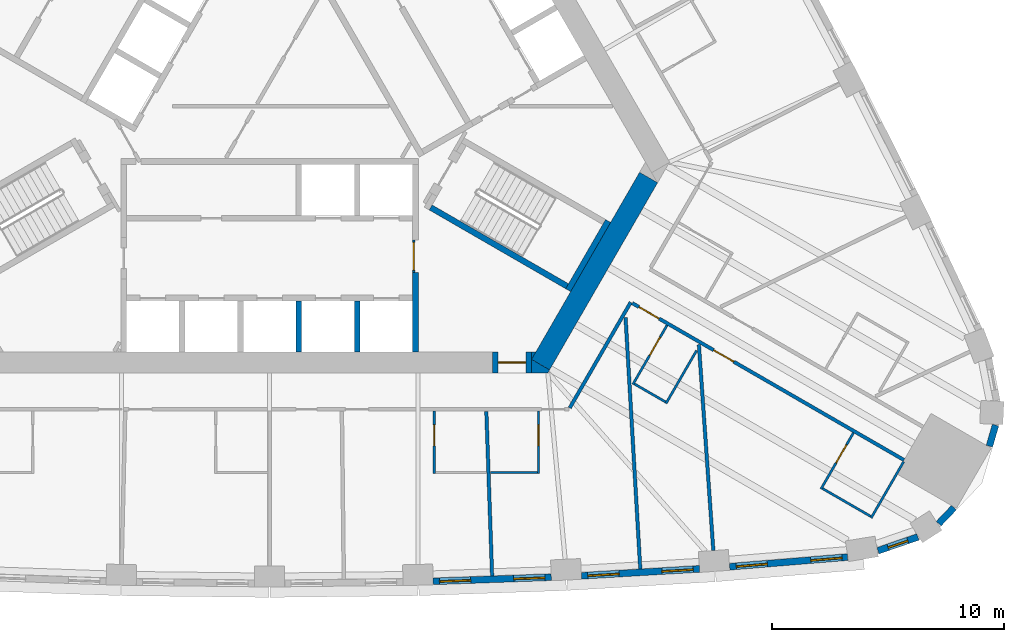
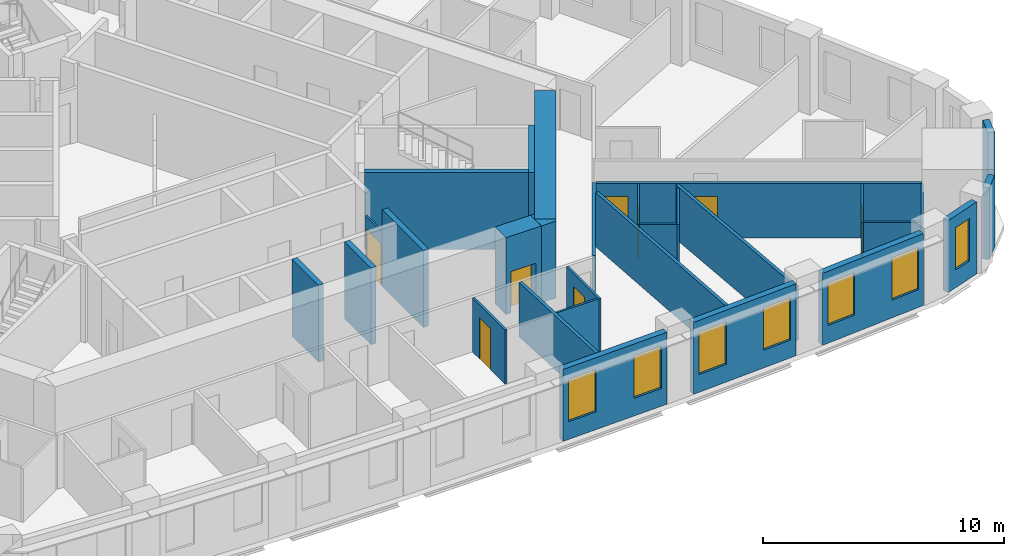
# One storey, part 7 of 13: 30 walls, 8 doors, 7 windows, 15 openings.
"""IFC4 building model written with IfcOpenShell, lengths in metres."""

from ifc_helpers import new_model, si_unit, direction, frame, frame_2d, origin, place, context, subcontext, project, spatial, polyline, rectangle, outline, extrude, material, layer, layer_set, type_object, element, fill, save


model = new_model("IFC4")

# Units and contexts
model_context = context("Model", 3, precision=1e-05, world=origin(), true_north=direction((0.0, 1.0)))
body_context = subcontext(model_context, "Body", "Model", "MODEL_VIEW")
ifc_project = project(units=[si_unit("LENGTHUNIT", "METRE"), si_unit("AREAUNIT", "SQUARE_METRE"), si_unit("VOLUMEUNIT", "CUBIC_METRE"), si_unit("PLANEANGLEUNIT", "RADIAN"), si_unit("MASSUNIT", "GRAM", prefix="KILO")], contexts=[model_context])

# Site, building, storey
site_placement = place(None, origin())
site = spatial("IfcSite", under=ifc_project, at=site_placement, CompositionType="ELEMENT")
building_placement = place(site_placement, origin())
building = spatial("IfcBuilding", under=site, at=building_placement, Name="Mestral Congress Tower", CompositionType="ELEMENT")
storey_placement = place(building_placement, frame((0.0, 0.0, 91.5)))
storey = spatial("IfcBuildingStorey", under=building, at=storey_placement, Name="L21", CompositionType="ELEMENT", Elevation=91.5)

# Wall, opening, door
ifc_material_1 = material(Name="Fire-rated board partition")
ifc_layer_1 = layer(ifc_material_1, 0.090087890625)
ifc_layer_set_1 = layer_set([ifc_layer_1], Name="Fire-rated board partition")
wall_type_1 = type_object("IfcWallType", Name="Core partition 150 door-wall 90", PredefinedType="PARTITIONING", material=ifc_layer_set_1)
wall_1_placement = place(storey_placement, frame((6.219970703125, -7.266357421875, 0.0), z_axis=(0.0, 0.0, 1.0), x_axis=(0.0, -1.0, 0.0)))
wall_1 = element("IfcWall", 1, at=wall_1_placement, inside=storey, type_object=wall_type_1, Name="L21 door wall", PredefinedType="PARTITIONING", context=body_context, shape_type="SweptSolid", body=[
    extrude(rectangle(XDim=1.400146484375, YDim=0.090087890625, at=frame_2d((0.7001953125, 0.0))), origin(), (0.0, 0.0, 1.0), 2.75),
])
opening_1_placement = place(wall_1_placement, frame((0.10009765625, 0.0, 0.0)))
opening_1 = element("IfcOpeningElement", 2, at=opening_1_placement, cuts=wall_1, Name="Opening LB0-WL1", PredefinedType="OPENING", context=body_context, shape_type="SweptSolid", body=[
    extrude(rectangle(XDim=1.199951171875, YDim=2.10009765625, at=frame_2d((0.60009765625, 1.050048828125))), frame((0.0, 0.054931640625, 0.0), z_axis=(0.0, -1.0, 0.0), x_axis=(1.0, 0.0, 0.0)), (0.0, 0.0, 1.0), 0.110107421875),
])
ifc_material_2 = material(Name="Fire-rated steel door set", Category="steel")
door_type_1 = type_object("IfcDoorType", Name="Core door LB 1200x2100", OperationType="SINGLE_SWING_LEFT", PredefinedType="DOOR", material=ifc_material_2)
door_1_placement = place(opening_1_placement, origin())
door_1 = element("IfcDoor", 3, at=door_1_placement, inside=storey, type_object=door_type_1, Name="Door LB0-WL1", OperationType="SINGLE_SWING_LEFT", OverallHeight=2.10009765625, OverallWidth=1.199951171875, PredefinedType="DOOR", context=body_context, shape_type="SweptSolid", body=[
    extrude(rectangle(XDim=1.199951171875, YDim=2.10009765625, at=frame_2d((0.60009765625, 1.050048828125))), frame((0.0, 0.02490234375, 0.0), z_axis=(0.0, -1.0, 0.0), x_axis=(1.0, 0.0, 0.0)), (0.0, 0.0, 1.0), 0.050048828125),
])
fill(opening_1, door_1)

# Walls
ifc_material_3 = material(Name="Concrete C60/75", Category="concrete")
ifc_layer_2 = layer(ifc_material_3, 0.89990234375)
ifc_layer_set_2 = layer_set([ifc_layer_2], Name="Concrete C60/75")
wall_type_2 = type_object("IfcWallType", Name="Core wall RC 900", PredefinedType="SOLIDWALL", material=ifc_layer_set_2)
wall_2_placement = place(storey_placement, frame((11.69482421875, -12.643798828125, 0.0), z_axis=(0.0, 0.0, 1.0), x_axis=(0.500010229568, 0.86601949766, 0.0)))
element("IfcWall", 4, at=wall_2_placement, inside=storey, type_object=wall_type_2, Name="L21 core wall", PredefinedType="SOLIDWALL", context=body_context, shape_type="SweptSolid", body=[
    extrude(rectangle(XDim=9.326416015625, YDim=0.89990234375, at=frame_2d((4.6630859375, 0.0))), origin(), (0.0, 0.0, 1.0), 3.89990234375),
])
placement = place(storey_placement, origin())
element("IfcWall", 5, at=placement, inside=storey, type_object=wall_type_2, Name="L21 core wall", PredefinedType="SOLIDWALL", context=body_context, shape_type="SweptSolid", body=[
    extrude(outline(polyline([(12.0087890625, -13.0), (11.31201171875, -13.0), (11.31201171875, -12.425048828125), (12.08349609375, -12.87060546875), (12.0087890625, -13.0)])), origin(), (0.0, 0.0, 1.0), 3.89990234375),
])
element("IfcWall", 6, at=placement, inside=storey, type_object=wall_type_2, Name="L21 core wall", PredefinedType="SOLIDWALL", context=body_context, shape_type="SweptSolid", body=[
    extrude(outline(polyline([(11.4892578125, -12.10009765625), (11.31201171875, -12.4072265625), (11.31201171875, -12.10009765625), (11.4892578125, -12.10009765625)])), origin(), (0.0, 0.0, 1.0), 3.89990234375),
])

# Wall, opening, door
wall_5_placement = place(storey_placement, frame((11.311767578125, -12.550048828125, 0.0), z_axis=(0.0, 0.0, 1.0), x_axis=(-1.0, 0.0, 0.0)))
wall_5 = element("IfcWall", 7, at=wall_5_placement, inside=storey, type_object=wall_type_2, Name="L21 door wall", PredefinedType="SOLIDWALL", context=body_context, shape_type="SweptSolid", body=[
    extrude(rectangle(XDim=1.699951171875, YDim=0.89990234375, at=frame_2d((0.85009765625, 0.0))), origin(), (0.0, 0.0, 1.0), 3.89990234375),
])
opening_2_placement = place(wall_5_placement, frame((0.25, 0.0, 0.0)))
opening_2 = element("IfcOpeningElement", 8, at=opening_2_placement, cuts=wall_5, Name="Opening XD1", PredefinedType="OPENING", context=body_context, shape_type="SweptSolid", body=[
    extrude(rectangle(XDim=1.199951171875, YDim=2.10009765625, at=frame_2d((0.60009765625, 1.050048828125))), frame((0.0, 0.4599609375, 0.0), z_axis=(0.0, -1.0, 0.0), x_axis=(1.0, 0.0, 0.0)), (0.0, 0.0, 1.0), 0.919921875),
])
door_type_2 = type_object("IfcDoorType", Name="Core door XD 1200x2100", OperationType="SINGLE_SWING_LEFT", PredefinedType="DOOR", material=ifc_material_2)
door_2_placement = place(opening_2_placement, origin())
door_2 = element("IfcDoor", 9, at=door_2_placement, inside=storey, type_object=door_type_2, Name="Door XD1", OperationType="SINGLE_SWING_LEFT", OverallHeight=2.10009765625, OverallWidth=1.199951171875, PredefinedType="DOOR", context=body_context, shape_type="SweptSolid", body=[
    extrude(rectangle(XDim=1.199951171875, YDim=2.10009765625, at=frame_2d((0.60009765625, 1.050048828125))), frame((0.0, 0.02490234375, 0.0), z_axis=(0.0, -1.0, 0.0), x_axis=(1.0, 0.0, 0.0)), (0.0, 0.0, 1.0), 0.050048828125),
])
fill(opening_2, door_2)

# Wall, openings, windows
ifc_material_4 = material(Name="Precast concrete C40/50 with limestone facing", Category="masonry")
ifc_layer_3 = layer(ifc_material_4, 0.2900390625)
ifc_layer_set_3 = layer_set([ifc_layer_3], Name="Precast concrete C40/50 with limestone facing")
wall_type_3 = type_object("IfcWallType", Name="Facade stone wall 290", PredefinedType="SOLIDWALL", material=ifc_layer_set_3)
wall_6_placement = place(storey_placement, frame((7.059326171875, -22.000732421875, 0.0), z_axis=(0.0, 0.0, 1.0), x_axis=(0.999385993957, 0.035037623812, 0.0)))
wall_6 = element("IfcWall", 10, at=wall_6_placement, inside=storey, type_object=wall_type_3, Name="Facade wall F0-05", PredefinedType="SOLIDWALL", context=body_context, shape_type="SweptSolid", body=[
    extrude(rectangle(XDim=5.1005859375, YDim=0.2900390625, at=frame_2d((2.55029296875, 0.0))), origin(), (0.0, 0.0, 1.0), 3.64990234375),
])
opening_3_placement = place(wall_6_placement, frame((0.272705078125, 0.0, 0.89990234375)))
opening_3 = element("IfcOpeningElement", 11, at=opening_3_placement, cuts=wall_6, Name="Opening W2", PredefinedType="OPENING", context=body_context, shape_type="SweptSolid", body=[
    extrude(rectangle(XDim=1.35009765625, YDim=2.14990234375, at=frame_2d((0.675048828125, 1.074951171875))), frame((0.0, 0.155029296875, 0.0), z_axis=(0.0, -1.0, 0.0), x_axis=(1.0, 0.0, 0.0)), (0.0, 0.0, 1.0), 0.31005859375),
])
opening_4_placement = place(wall_6_placement, frame((3.477783203125, 0.0, 0.89990234375)))
opening_4 = element("IfcOpeningElement", 12, at=opening_4_placement, cuts=wall_6, Name="Opening W2", PredefinedType="OPENING", context=body_context, shape_type="SweptSolid", body=[
    extrude(rectangle(XDim=1.35009765625, YDim=2.14990234375, at=frame_2d((0.675048828125, 1.074951171875))), frame((0.0, 0.155029296875, 0.0), z_axis=(0.0, -1.0, 0.0), x_axis=(1.0, 0.0, 0.0)), (0.0, 0.0, 1.0), 0.31005859375),
])
ifc_material_5 = material(Name="Clear low-emissivity double glazing", Category="glass")
window_type_1 = type_object("IfcWindowType", Name="Facade punched window 1350 x 2150 sill 900", PartitioningType="DOUBLE_PANEL_VERTICAL", PredefinedType="WINDOW", material=ifc_material_5)
window_1_placement = place(opening_3_placement, origin())
window_1 = element("IfcWindow", 13, at=window_1_placement, inside=storey, type_object=window_type_1, Name="Window F0-05a", OverallHeight=2.14990234375, OverallWidth=1.35009765625, PartitioningType="DOUBLE_PANEL_VERTICAL", PredefinedType="WINDOW", context=body_context, shape_type="SweptSolid", body=[
    extrude(rectangle(XDim=1.35009765625, YDim=2.14990234375, at=frame_2d((0.675048828125, 1.074951171875))), frame((0.0, 0.01513671875, 0.0), z_axis=(0.0, -1.0, 0.0), x_axis=(1.0, 0.0, 0.0)), (0.0, 0.0, 1.0), 0.06005859375),
])
fill(opening_3, window_1)
window_2_placement = place(opening_4_placement, origin())
window_2 = element("IfcWindow", 14, at=window_2_placement, inside=storey, type_object=window_type_1, Name="Window F0-05b", OverallHeight=2.14990234375, OverallWidth=1.35009765625, PartitioningType="DOUBLE_PANEL_VERTICAL", PredefinedType="WINDOW", context=body_context, shape_type="SweptSolid", body=[
    extrude(rectangle(XDim=1.35009765625, YDim=2.14990234375, at=frame_2d((0.675048828125, 1.074951171875))), frame((0.0, 0.01513671875, 0.0), z_axis=(0.0, -1.0, 0.0), x_axis=(1.0, 0.0, 0.0)), (0.0, 0.0, 1.0), 0.06005859375),
])
fill(opening_4, window_2)

wall_7_placement = place(storey_placement, frame((13.4619140625, -21.760986328125, 0.0), z_axis=(0.0, 0.0, 1.0), x_axis=(0.998290511436, 0.058447025388, 0.0)))
wall_7 = element("IfcWall", 15, at=wall_7_placement, inside=storey, type_object=wall_type_3, Name="Facade wall F0-06", PredefinedType="SOLIDWALL", context=body_context, shape_type="SweptSolid", body=[
    extrude(rectangle(XDim=5.100341796875, YDim=0.2900390625, at=frame_2d((2.55029296875, 0.0))), origin(), (0.0, 0.0, 1.0), 3.64990234375),
])
opening_5_placement = place(wall_7_placement, frame((0.2724609375, 0.0, 0.89990234375)))
opening_5 = element("IfcOpeningElement", 16, at=opening_5_placement, cuts=wall_7, Name="Opening W2", PredefinedType="OPENING", context=body_context, shape_type="SweptSolid", body=[
    extrude(rectangle(XDim=1.35009765625, YDim=2.14990234375, at=frame_2d((0.675048828125, 1.074951171875))), frame((0.0, 0.155029296875, 0.0), z_axis=(0.0, -1.0, 0.0), x_axis=(1.0, 0.0, 0.0)), (0.0, 0.0, 1.0), 0.31005859375),
])
opening_6_placement = place(wall_7_placement, frame((3.477783203125, 0.0, 0.89990234375)))
opening_6 = element("IfcOpeningElement", 17, at=opening_6_placement, cuts=wall_7, Name="Opening W2", PredefinedType="OPENING", context=body_context, shape_type="SweptSolid", body=[
    extrude(rectangle(XDim=1.35009765625, YDim=2.14990234375, at=frame_2d((0.675048828125, 1.074951171875))), frame((0.0, 0.155029296875, 0.0), z_axis=(0.0, -1.0, 0.0), x_axis=(1.0, 0.0, 0.0)), (0.0, 0.0, 1.0), 0.31005859375),
])
window_3_placement = place(opening_5_placement, origin())
window_3 = element("IfcWindow", 18, at=window_3_placement, inside=storey, type_object=window_type_1, Name="Window F0-06a", OverallHeight=2.14990234375, OverallWidth=1.35009765625, PartitioningType="DOUBLE_PANEL_VERTICAL", PredefinedType="WINDOW", context=body_context, shape_type="SweptSolid", body=[
    extrude(rectangle(XDim=1.35009765625, YDim=2.14990234375, at=frame_2d((0.675048828125, 1.074951171875))), frame((0.0, 0.01513671875, 0.0), z_axis=(0.0, -1.0, 0.0), x_axis=(1.0, 0.0, 0.0)), (0.0, 0.0, 1.0), 0.06005859375),
])
fill(opening_5, window_3)
window_4_placement = place(opening_6_placement, origin())
window_4 = element("IfcWindow", 19, at=window_4_placement, inside=storey, type_object=window_type_1, Name="Window F0-06b", OverallHeight=2.14990234375, OverallWidth=1.35009765625, PartitioningType="DOUBLE_PANEL_VERTICAL", PredefinedType="WINDOW", context=body_context, shape_type="SweptSolid", body=[
    extrude(rectangle(XDim=1.35009765625, YDim=2.14990234375, at=frame_2d((0.675048828125, 1.074951171875))), frame((0.0, 0.01513671875, 0.0), z_axis=(0.0, -1.0, 0.0), x_axis=(1.0, 0.0, 0.0)), (0.0, 0.0, 1.0), 0.06005859375),
])
fill(opening_6, window_4)

wall_8_placement = place(storey_placement, frame((19.856689453125, -21.37109375, 0.0), z_axis=(0.0, 0.0, 1.0), x_axis=(0.99665273362, 0.081751627308, 0.0)))
wall_8 = element("IfcWall", 20, at=wall_8_placement, inside=storey, type_object=wall_type_3, Name="Facade wall F0-07", PredefinedType="SOLIDWALL", context=body_context, shape_type="SweptSolid", body=[
    extrude(rectangle(XDim=5.106689453125, YDim=0.2900390625, at=frame_2d((2.55322265625, 0.0))), origin(), (0.0, 0.0, 1.0), 3.64990234375),
])
opening_7_placement = place(wall_8_placement, frame((0.285400390625, 0.0, 0.89990234375)))
opening_7 = element("IfcOpeningElement", 21, at=opening_7_placement, cuts=wall_8, Name="Opening W2", PredefinedType="OPENING", context=body_context, shape_type="SweptSolid", body=[
    extrude(rectangle(XDim=1.35009765625, YDim=2.14990234375, at=frame_2d((0.675048828125, 1.074951171875))), frame((0.0, 0.155029296875, 0.0), z_axis=(0.0, -1.0, 0.0), x_axis=(1.0, 0.0, 0.0)), (0.0, 0.0, 1.0), 0.31005859375),
])
opening_8_placement = place(wall_8_placement, frame((3.51611328125, 0.0, 0.89990234375)))
opening_8 = element("IfcOpeningElement", 22, at=opening_8_placement, cuts=wall_8, Name="Opening W2", PredefinedType="OPENING", context=body_context, shape_type="SweptSolid", body=[
    extrude(rectangle(XDim=1.35009765625, YDim=2.14990234375, at=frame_2d((0.675048828125, 1.074951171875))), frame((0.0, 0.155029296875, 0.0), z_axis=(0.0, -1.0, 0.0), x_axis=(1.0, 0.0, 0.0)), (0.0, 0.0, 1.0), 0.31005859375),
])
window_5_placement = place(opening_7_placement, origin())
window_5 = element("IfcWindow", 23, at=window_5_placement, inside=storey, type_object=window_type_1, Name="Window F0-07a", OverallHeight=2.14990234375, OverallWidth=1.35009765625, PartitioningType="DOUBLE_PANEL_VERTICAL", PredefinedType="WINDOW", context=body_context, shape_type="SweptSolid", body=[
    extrude(rectangle(XDim=1.35009765625, YDim=2.14990234375, at=frame_2d((0.675048828125, 1.074951171875))), frame((0.0, 0.01513671875, 0.0), z_axis=(0.0, -1.0, 0.0), x_axis=(1.0, 0.0, 0.0)), (0.0, 0.0, 1.0), 0.06005859375),
])
fill(opening_7, window_5)
window_6_placement = place(opening_8_placement, origin())
window_6 = element("IfcWindow", 24, at=window_6_placement, inside=storey, type_object=window_type_1, Name="Window F0-07b", OverallHeight=2.14990234375, OverallWidth=1.35009765625, PartitioningType="DOUBLE_PANEL_VERTICAL", PredefinedType="WINDOW", context=body_context, shape_type="SweptSolid", body=[
    extrude(rectangle(XDim=1.35009765625, YDim=2.14990234375, at=frame_2d((0.675048828125, 1.074951171875))), frame((0.0, 0.01513671875, 0.0), z_axis=(0.0, -1.0, 0.0), x_axis=(1.0, 0.0, 0.0)), (0.0, 0.0, 1.0), 0.06005859375),
])
fill(opening_8, window_6)

# Wall, opening, window
wall_9_placement = place(storey_placement, frame((26.260986328125, -20.67919921875, 0.0), z_axis=(0.0, 0.0, 1.0), x_axis=(0.945385815453, 0.325953462844, 0.0)))
wall_9 = element("IfcWall", 25, at=wall_9_placement, inside=storey, type_object=wall_type_3, Name="Facade wall K0-0", PredefinedType="SOLIDWALL", context=body_context, shape_type="SweptSolid", body=[
    extrude(rectangle(XDim=1.8193359375, YDim=0.2900390625, at=frame_2d((0.90966796875, 0.0))), origin(), (0.0, 0.0, 1.0), 3.64990234375),
])
opening_9_placement = place(wall_9_placement, frame((0.459716796875, 0.0, 0.89990234375)))
opening_9 = element("IfcOpeningElement", 26, at=opening_9_placement, cuts=wall_9, Name="Opening W3", PredefinedType="OPENING", context=body_context, shape_type="SweptSolid", body=[
    extrude(rectangle(XDim=0.89990234375, YDim=2.14990234375, at=frame_2d((0.449951171875, 1.074951171875))), frame((0.0, 0.155029296875, 0.0), z_axis=(0.0, -1.0, 0.0), x_axis=(1.0, 0.0, 0.0)), (0.0, 0.0, 1.0), 0.31005859375),
])
window_type_2 = type_object("IfcWindowType", Name="Facade punched window 900 x 2150 sill 900", PartitioningType="SINGLE_PANEL", PredefinedType="WINDOW", material=ifc_material_5)
window_7_placement = place(opening_9_placement, origin())
window_7 = element("IfcWindow", 27, at=window_7_placement, inside=storey, type_object=window_type_2, Name="Window K0-0", OverallHeight=2.14990234375, OverallWidth=0.89990234375, PartitioningType="SINGLE_PANEL", PredefinedType="WINDOW", context=body_context, shape_type="SweptSolid", body=[
    extrude(rectangle(XDim=0.89990234375, YDim=2.14990234375, at=frame_2d((0.449951171875, 1.074951171875))), frame((0.0, 0.01513671875, 0.0), z_axis=(0.0, -1.0, 0.0), x_axis=(1.0, 0.0, 0.0)), (0.0, 0.0, 1.0), 0.06005859375),
])
fill(opening_9, window_7)

# Walls
wall_10_placement = place(storey_placement, frame((28.88037109375, -19.50927734375, 0.0), z_axis=(0.0, 0.0, 1.0), x_axis=(0.690414427296, 0.723414071319, 0.0)))
element("IfcWall", 28, at=wall_10_placement, inside=storey, type_object=wall_type_3, Name="Facade wall K0-1", PredefinedType="SOLIDWALL", context=body_context, shape_type="SweptSolid", body=[
    extrude(rectangle(XDim=0.947021484375, YDim=0.2900390625, at=frame_2d((0.4736328125, 0.0))), origin(), (0.0, 0.0, 1.0), 3.64990234375),
])
wall_11_placement = place(storey_placement, frame((31.069091796875, -16.165283203125, 0.0), z_axis=(0.0, 0.0, 1.0), x_axis=(0.281454582132, 0.95957455062, 0.0)))
element("IfcWall", 29, at=wall_11_placement, inside=storey, type_object=wall_type_3, Name="Facade wall K0-2", PredefinedType="SOLIDWALL", context=body_context, shape_type="SweptSolid", body=[
    extrude(rectangle(XDim=0.947265625, YDim=0.2900390625, at=frame_2d((0.4736328125, 0.0))), origin(), (0.0, 0.0, 1.0), 3.64990234375),
])

# Wall, opening, door
ifc_material_6 = material(Name="Gypsum board partition on metal studs with mineral wool", Category="composite")
ifc_layer_4 = layer(ifc_material_6, 0.10009765625)
ifc_layer_set_4 = layer_set([ifc_layer_4], Name="Gypsum board partition on metal studs with mineral wool")
wall_type_4 = type_object("IfcWallType", Name="Hotel partition wall 100", PredefinedType="PARTITIONING", material=ifc_layer_set_4)
wall_12_placement = place(storey_placement, frame((7.100341796875, -14.64990234375, 0.0), z_axis=(0.0, 0.0, 1.0), x_axis=(0.0, -1.0, 0.0)))
wall_12 = element("IfcWall", 30, at=wall_12_placement, inside=storey, type_object=wall_type_4, Name="L21-h-pod06a", PredefinedType="PARTITIONING", context=body_context, shape_type="SweptSolid", body=[
    extrude(rectangle(XDim=2.7001953125, YDim=0.10009765625, at=frame_2d((1.35009765625, 0.0))), origin(), (0.0, 0.0, 1.0), 2.75),
])
opening_10_placement = place(wall_12_placement, frame((0.60009765625, 0.0, 0.0)))
opening_10 = element("IfcOpeningElement", 31, at=opening_10_placement, cuts=wall_12, Name="Opening H06-011", PredefinedType="OPENING", context=body_context, shape_type="SweptSolid", body=[
    extrude(rectangle(XDim=0.89990234375, YDim=2.10009765625, at=frame_2d((0.449951171875, 1.050048828125))), frame((0.0, 0.06005859375, 0.0), z_axis=(0.0, -1.0, 0.0), x_axis=(1.0, 0.0, 0.0)), (0.0, 0.0, 1.0), 0.1201171875),
])
ifc_material_7 = material(Name="Timber veneer door leaf in timber frame", Category="wood")
door_type_3 = type_object("IfcDoorType", Name="Bathroom door 900", OperationType="SINGLE_SWING_LEFT", PredefinedType="DOOR", material=ifc_material_7)
door_3_placement = place(opening_10_placement, origin())
door_3 = element("IfcDoor", 32, at=door_3_placement, inside=storey, type_object=door_type_3, Name="L21-h-d011", OperationType="SINGLE_SWING_RIGHT", OverallHeight=2.10009765625, OverallWidth=0.89990234375, PredefinedType="DOOR", context=body_context, shape_type="SweptSolid", body=[
    extrude(rectangle(XDim=0.89990234375, YDim=2.10009765625, at=frame_2d((0.449951171875, 1.050048828125))), frame((0.0, 0.02490234375, 0.0), z_axis=(0.0, -1.0, 0.0), x_axis=(1.0, 0.0, 0.0)), (0.0, 0.0, 1.0), 0.050048828125),
])
fill(opening_10, door_3)

wall_13_placement = place(storey_placement, frame((11.606689453125, -17.35009765625, 0.0), z_axis=(0.0, 0.0, 1.0), x_axis=(0.0, 1.0, 0.0)))
wall_13 = element("IfcWall", 33, at=wall_13_placement, inside=storey, type_object=wall_type_4, Name="L21-h-pod07a", PredefinedType="PARTITIONING", context=body_context, shape_type="SweptSolid", body=[
    extrude(rectangle(XDim=2.7001953125, YDim=0.10009765625, at=frame_2d((1.35009765625, 0.0))), origin(), (0.0, 0.0, 1.0), 2.75),
])
opening_11_placement = place(wall_13_placement, frame((1.199951171875, 0.0, 0.0)))
opening_11 = element("IfcOpeningElement", 34, at=opening_11_placement, cuts=wall_13, Name="Opening H06-013", PredefinedType="OPENING", context=body_context, shape_type="SweptSolid", body=[
    extrude(rectangle(XDim=0.89990234375, YDim=2.10009765625, at=frame_2d((0.449951171875, 1.050048828125))), frame((0.0, 0.06005859375, 0.0), z_axis=(0.0, -1.0, 0.0), x_axis=(1.0, 0.0, 0.0)), (0.0, 0.0, 1.0), 0.1201171875),
])
door_4_placement = place(opening_11_placement, origin())
door_4 = element("IfcDoor", 35, at=door_4_placement, inside=storey, type_object=door_type_3, Name="L21-h-d013", OperationType="SINGLE_SWING_LEFT", OverallHeight=2.10009765625, OverallWidth=0.89990234375, PredefinedType="DOOR", context=body_context, shape_type="SweptSolid", body=[
    extrude(rectangle(XDim=0.89990234375, YDim=2.10009765625, at=frame_2d((0.449951171875, 1.050048828125))), frame((0.0, 0.02490234375, 0.0), z_axis=(0.0, -1.0, 0.0), x_axis=(1.0, 0.0, 0.0)), (0.0, 0.0, 1.0), 0.050048828125),
])
fill(opening_11, door_4)

# Wall
wall_14_placement = place(storey_placement, frame((11.556640625, -17.300048828125, 0.0), z_axis=(0.0, 0.0, 1.0), x_axis=(-1.0, 0.0, 0.0)))
element("IfcWall", 36, at=wall_14_placement, inside=storey, type_object=wall_type_4, Name="L21-h-pod07b", PredefinedType="PARTITIONING", context=body_context, shape_type="SweptSolid", body=[
    extrude(rectangle(XDim=2.030029296875, YDim=0.10009765625, at=frame_2d((1.01513671875, 0.0))), origin(), (0.0, 0.0, 1.0), 2.75),
])

# Wall, opening, door
wall_15_placement = place(storey_placement, frame((17.155029296875, -10.943603515625, 0.0), z_axis=(0.0, 0.0, 1.0), x_axis=(-0.499939757307, -0.866060182126, 0.0)))
wall_15 = element("IfcWall", 37, at=wall_15_placement, inside=storey, type_object=wall_type_4, Name="L21-h-pod08a", PredefinedType="PARTITIONING", context=body_context, shape_type="SweptSolid", body=[
    extrude(rectangle(XDim=2.949951171875, YDim=0.10009765625, at=frame_2d((1.47509765625, 0.0))), origin(), (0.0, 0.0, 1.0), 2.75),
])
opening_12_placement = place(wall_15_placement, frame((0.60009765625, 0.0, 0.0)))
opening_12 = element("IfcOpeningElement", 38, at=opening_12_placement, cuts=wall_15, Name="Opening H06-015", PredefinedType="OPENING", context=body_context, shape_type="SweptSolid", body=[
    extrude(rectangle(XDim=0.89990234375, YDim=2.10009765625, at=frame_2d((0.449951171875, 1.050048828125))), frame((0.0, 0.06005859375, 0.0), z_axis=(0.0, -1.0, 0.0), x_axis=(1.0, 0.0, 0.0)), (0.0, 0.0, 1.0), 0.1201171875),
])
door_5_placement = place(opening_12_placement, origin())
door_5 = element("IfcDoor", 39, at=door_5_placement, inside=storey, type_object=door_type_3, Name="L21-h-d015", OperationType="SINGLE_SWING_LEFT", OverallHeight=2.10009765625, OverallWidth=0.89990234375, PredefinedType="DOOR", context=body_context, shape_type="SweptSolid", body=[
    extrude(rectangle(XDim=0.89990234375, YDim=2.10009765625, at=frame_2d((0.449951171875, 1.050048828125))), frame((0.0, 0.02490234375, 0.0), z_axis=(0.0, -1.0, 0.0), x_axis=(1.0, 0.0, 0.0)), (0.0, 0.0, 1.0), 0.050048828125),
])
fill(opening_12, door_5)

# Walls
wall_16_placement = place(storey_placement, frame((15.748291015625, -13.480224609375, 0.0), z_axis=(0.0, 0.0, 1.0), x_axis=(0.866083307622, -0.499899694197, 0.0)))
element("IfcWall", 40, at=wall_16_placement, inside=storey, type_object=wall_type_4, Name="L21-h-pod08b", PredefinedType="PARTITIONING", context=body_context, shape_type="SweptSolid", body=[
    extrude(rectangle(XDim=1.550048828125, YDim=0.10009765625, at=frame_2d((0.77490234375, 0.0))), origin(), (0.0, 0.0, 1.0), 2.75),
])
wall_17_placement = place(storey_placement, frame((18.428955078125, -12.037109375, 0.0), z_axis=(0.0, 0.0, 1.0), x_axis=(-0.500007957085, -0.86602080971, 0.0)))
element("IfcWall", 41, at=wall_17_placement, inside=storey, type_object=wall_type_4, Name="L21-h-pod08c", PredefinedType="PARTITIONING", context=body_context, shape_type="SweptSolid", body=[
    extrude(rectangle(XDim=2.64013671875, YDim=0.10009765625, at=frame_2d((1.320068359375, 0.0))), origin(), (0.0, 0.0, 1.0), 2.75),
])

# Wall, opening, door
wall_18_placement = place(storey_placement, frame((25.200439453125, -15.588623046875, 0.0), z_axis=(0.0, 0.0, 1.0), x_axis=(-0.500011755427, -0.866018616679, 0.0)))
wall_18 = element("IfcWall", 42, at=wall_18_placement, inside=storey, type_object=wall_type_4, Name="L21-h-pod09a", PredefinedType="PARTITIONING", context=body_context, shape_type="SweptSolid", body=[
    extrude(rectangle(XDim=2.80029296875, YDim=0.10009765625, at=frame_2d((1.400146484375, 0.0))), origin(), (0.0, 0.0, 1.0), 2.75),
])
opening_13_placement = place(wall_18_placement, frame((0.60009765625, 0.0, 0.0)))
opening_13 = element("IfcOpeningElement", 43, at=opening_13_placement, cuts=wall_18, Name="Opening H06-017", PredefinedType="OPENING", context=body_context, shape_type="SweptSolid", body=[
    extrude(rectangle(XDim=0.89990234375, YDim=2.10009765625, at=frame_2d((0.449951171875, 1.050048828125))), frame((0.0, 0.06005859375, 0.0), z_axis=(0.0, -1.0, 0.0), x_axis=(1.0, 0.0, 0.0)), (0.0, 0.0, 1.0), 0.1201171875),
])
door_6_placement = place(opening_13_placement, origin())
door_6 = element("IfcDoor", 44, at=door_6_placement, inside=storey, type_object=door_type_3, Name="L21-h-d017", OperationType="SINGLE_SWING_RIGHT", OverallHeight=2.10009765625, OverallWidth=0.89990234375, PredefinedType="DOOR", context=body_context, shape_type="SweptSolid", body=[
    extrude(rectangle(XDim=0.89990234375, YDim=2.10009765625, at=frame_2d((0.449951171875, 1.050048828125))), frame((0.0, 0.02490234375, 0.0), z_axis=(0.0, -1.0, 0.0), x_axis=(1.0, 0.0, 0.0)), (0.0, 0.0, 1.0), 0.050048828125),
])
fill(opening_13, door_6)

# Walls
wall_19_placement = place(storey_placement, frame((23.86865234375, -17.995361328125, 0.0), z_axis=(0.0, 0.0, 1.0), x_axis=(0.866050077142, -0.499957262057, 0.0)))
element("IfcWall", 45, at=wall_19_placement, inside=storey, type_object=wall_type_4, Name="L21-h-pod09b", PredefinedType="PARTITIONING", context=body_context, shape_type="SweptSolid", body=[
    extrude(rectangle(XDim=2.400146484375, YDim=0.10009765625, at=frame_2d((1.2001953125, 0.0))), origin(), (0.0, 0.0, 1.0), 2.75),
])
wall_20_placement = place(storey_placement, frame((27.365478515625, -16.838623046875, 0.0), z_axis=(0.0, 0.0, 1.0), x_axis=(-0.49994636267, -0.866056369097, 0.0)))
element("IfcWall", 46, at=wall_20_placement, inside=storey, type_object=wall_type_4, Name="L21-h-pod09c", PredefinedType="PARTITIONING", context=body_context, shape_type="SweptSolid", body=[
    extrude(rectangle(XDim=2.800048828125, YDim=0.10009765625, at=frame_2d((1.39990234375, 0.0))), origin(), (0.0, 0.0, 1.0), 2.75),
])
ifc_layer_5 = layer(ifc_material_6, 0.14990234375)
ifc_layer_set_5 = layer_set([ifc_layer_5], Name="Gypsum board partition on metal studs with mineral wool")
wall_type_5 = type_object("IfcWallType", Name="Hotel partition wall 150", PredefinedType="PARTITIONING", material=ifc_layer_set_5)
wall_21_placement = place(storey_placement, frame((15.58740234375, -9.951904296875, 0.0), z_axis=(0.0, 0.0, 1.0), x_axis=(-0.500016618951, -0.866015808616, 0.0)))
element("IfcWall", 47, at=wall_21_placement, inside=storey, type_object=wall_type_5, Name="L21-h-cw14", PredefinedType="PARTITIONING", context=body_context, shape_type="SweptSolid", body=[
    extrude(rectangle(XDim=5.268310546875, YDim=0.14990234375, at=frame_2d((2.63427734375, 0.0))), origin(), (0.0, 0.0, 1.0), 2.75),
])

# Wall, openings, doors
wall_22_placement = place(storey_placement, frame((27.3857421875, -16.763916015625, 0.0), z_axis=(0.0, 0.0, 1.0), x_axis=(-0.866022585856, 0.500004880763, 0.0)))
wall_22 = element("IfcWall", 48, at=wall_22_placement, inside=storey, type_object=wall_type_5, Name="L21-h-cw15", PredefinedType="PARTITIONING", context=body_context, shape_type="SweptSolid", body=[
    extrude(rectangle(XDim=13.543701171875, YDim=0.14990234375, at=frame_2d((6.77197265625, 0.0))), origin(), (0.0, 0.0, 1.0), 2.75),
])
opening_14_placement = place(wall_22_placement, frame((12.213623046875, 0.0, 0.0)))
opening_14 = element("IfcOpeningElement", 49, at=opening_14_placement, cuts=wall_22, Name="Opening H06-014", PredefinedType="OPENING", context=body_context, shape_type="SweptSolid", body=[
    extrude(rectangle(XDim=1.0, YDim=2.10009765625, at=frame_2d((0.5, 1.050048828125))), frame((0.0, 0.0849609375, 0.0), z_axis=(0.0, -1.0, 0.0), x_axis=(1.0, 0.0, 0.0)), (0.0, 0.0, 1.0), 0.169921875),
])
opening_15_placement = place(wall_22_placement, frame((8.48974609375, 0.0, 0.0)))
opening_15 = element("IfcOpeningElement", 50, at=opening_15_placement, cuts=wall_22, Name="Opening H06-016", PredefinedType="OPENING", context=body_context, shape_type="SweptSolid", body=[
    extrude(rectangle(XDim=1.0, YDim=2.10009765625, at=frame_2d((0.5, 1.050048828125))), frame((0.0, 0.0849609375, 0.0), z_axis=(0.0, -1.0, 0.0), x_axis=(1.0, 0.0, 0.0)), (0.0, 0.0, 1.0), 0.169921875),
])
ifc_material_8 = material(Name="Timber veneer door leaf in metal frame", Category="wood")
door_type_4 = type_object("IfcDoorType", Name="Guest room entrance door 1000", OperationType="SINGLE_SWING_LEFT", PredefinedType="DOOR", material=ifc_material_8)
door_7_placement = place(opening_14_placement, origin())
door_7 = element("IfcDoor", 51, at=door_7_placement, inside=storey, type_object=door_type_4, Name="L21-h-d014", OperationType="SINGLE_SWING_RIGHT", OverallHeight=2.10009765625, OverallWidth=1.0, PredefinedType="DOOR", context=body_context, shape_type="SweptSolid", body=[
    extrude(rectangle(XDim=1.0, YDim=2.10009765625, at=frame_2d((0.5, 1.050048828125))), frame((0.0, 0.02490234375, 0.0), z_axis=(0.0, -1.0, 0.0), x_axis=(1.0, 0.0, 0.0)), (0.0, 0.0, 1.0), 0.050048828125),
])
fill(opening_14, door_7)
door_8_placement = place(opening_15_placement, origin())
door_8 = element("IfcDoor", 52, at=door_8_placement, inside=storey, type_object=door_type_4, Name="L21-h-d016", OperationType="SINGLE_SWING_RIGHT", OverallHeight=2.10009765625, OverallWidth=1.0, PredefinedType="DOOR", context=body_context, shape_type="SweptSolid", body=[
    extrude(rectangle(XDim=1.0, YDim=2.10009765625, at=frame_2d((0.5, 1.050048828125))), frame((0.0, 0.02490234375, 0.0), z_axis=(0.0, -1.0, 0.0), x_axis=(1.0, 0.0, 0.0)), (0.0, 0.0, 1.0), 0.050048828125),
])
fill(opening_15, door_8)

# Walls
wall_23_placement = place(storey_placement, frame((9.60302734375, -21.7666015625, 0.0), z_axis=(0.0, 0.0, 1.0), x_axis=(-0.035053506859, 0.999385436985, 0.0)))
element("IfcWall", 53, at=wall_23_placement, inside=storey, type_object=wall_type_5, Name="L21-h-pw21", PredefinedType="PARTITIONING", context=body_context, shape_type="SweptSolid", body=[
    extrude(rectangle(XDim=7.111083984375, YDim=0.14990234375, at=frame_2d((3.5556640625, 0.0))), origin(), (0.0, 0.0, 1.0), 2.75),
])
wall_24_placement = place(storey_placement, frame((15.999267578125, -21.467041015625, 0.0), z_axis=(0.0, 0.0, 1.0), x_axis=(-0.058433825336, 0.998291284173, 0.0)))
element("IfcWall", 54, at=wall_24_placement, inside=storey, type_object=wall_type_5, Name="L21-h-pw24", PredefinedType="PARTITIONING", context=body_context, shape_type="SweptSolid", body=[
    extrude(rectangle(XDim=10.87548828125, YDim=0.14990234375, at=frame_2d((5.437744140625, 0.0))), origin(), (0.0, 0.0, 1.0), 2.75),
])
wall_25_placement = place(storey_placement, frame((19.152587890625, -20.67138671875, 0.0), z_axis=(0.0, 0.0, 1.0), x_axis=(-0.070070736723, 0.997542025107, 0.0)))
element("IfcWall", 55, at=wall_25_placement, inside=storey, type_object=wall_type_5, Name="L21-h-pw26", PredefinedType="PARTITIONING", context=body_context, shape_type="SweptSolid", body=[
    extrude(rectangle(XDim=8.9091796875, YDim=0.14990234375, at=frame_2d((4.45458984375, 0.0))), origin(), (0.0, 0.0, 1.0), 2.75),
])
ifc_layer_6 = layer(ifc_material_3, 0.25)
ifc_layer_set_6 = layer_set([ifc_layer_6], Name="Concrete C60/75")
wall_type_6 = type_object("IfcWallType", Name="Shaft wall RC 250", PredefinedType="SOLIDWALL", material=ifc_layer_set_6)
wall_26_placement = place(storey_placement, frame((6.300048828125, -8.669921875, 0.0), z_axis=(0.0, 0.0, 1.0), x_axis=(0.0, -1.0, 0.0)))
element("IfcWall", 56, at=wall_26_placement, inside=storey, type_object=wall_type_6, Name="L21 core wall", PredefinedType="SOLIDWALL", context=body_context, shape_type="SweptSolid", body=[
    extrude(rectangle(XDim=3.43017578125, YDim=0.25, at=frame_2d((1.715087890625, 0.0))), origin(), (0.0, 0.0, 1.0), 3.89990234375),
])
for number, where, z_axis, x_axis, name in (
    (57, (3.780029296875, -12.10009765625, 0.0), (0.0, 0.0, 1.0), (0.0, 1.0, 0.0), "L21 core wall"),
    (58, (1.260009765625, -12.10009765625, 0.0), (0.0, 0.0, 1.0), (0.0, 1.0, 0.0), "L21 core wall"),
):
    element("IfcWall", number, at=place(storey_placement, frame(where, z_axis=z_axis, x_axis=x_axis)), inside=storey, type_object=wall_type_6, Name=name, PredefinedType="SOLIDWALL", context=body_context, shape_type="SweptSolid", body=[
        extrude(rectangle(XDim=2.199951171875, YDim=0.25, at=frame_2d((1.10009765625, 0.0))), origin(), (0.0, 0.0, 1.0), 3.89990234375),
    ])
ifc_layer_7 = layer(ifc_material_3, 0.25)
ifc_layer_set_7 = layer_set([ifc_layer_7], Name="Concrete C60/75")
wall_type_7 = type_object("IfcWallType", Name="Stair wall RC 250", PredefinedType="SOLIDWALL", material=ifc_layer_set_7)
wall_27_placement = place(storey_placement, frame((12.885498046875, -9.431396484375, 0.0), z_axis=(0.0, 0.0, 1.0), x_axis=(0.500020560727, 0.866013532718, 0.0)))
element("IfcWall", 59, at=wall_27_placement, inside=storey, type_object=wall_type_7, Name="L21 core wall", PredefinedType="SOLIDWALL", context=body_context, shape_type="SweptSolid", body=[
    extrude(rectangle(XDim=3.449951171875, YDim=0.25, at=frame_2d((1.72509765625, 0.0))), origin(), (0.0, 0.0, 1.0), 3.89990234375),
])
wall_28_placement = place(storey_placement, frame((12.83984375, -9.2607421875, 0.0), z_axis=(0.0, 0.0, 1.0), x_axis=(-0.866013990052, 0.500019768644, 0.0)))
element("IfcWall", 60, at=wall_28_placement, inside=storey, type_object=wall_type_7, Name="L21 core wall", PredefinedType="SOLIDWALL", context=body_context, shape_type="SweptSolid", body=[
    extrude(rectangle(XDim=6.800048828125, YDim=0.25, at=frame_2d((3.39990234375, 0.0))), origin(), (0.0, 0.0, 1.0), 3.89990234375),
])

save(model, "model.ifc")
